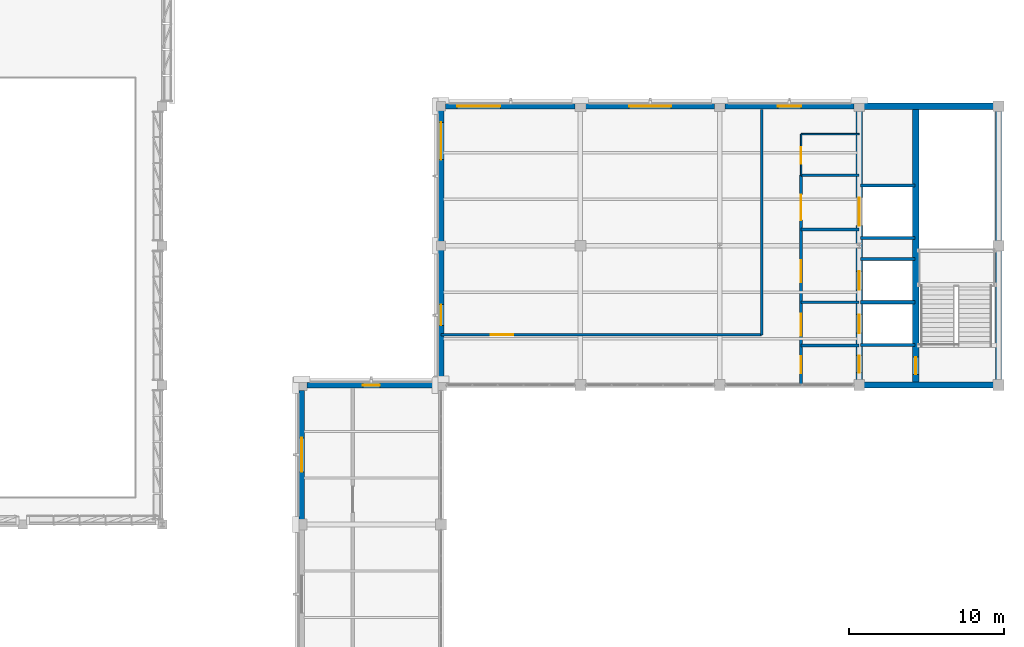
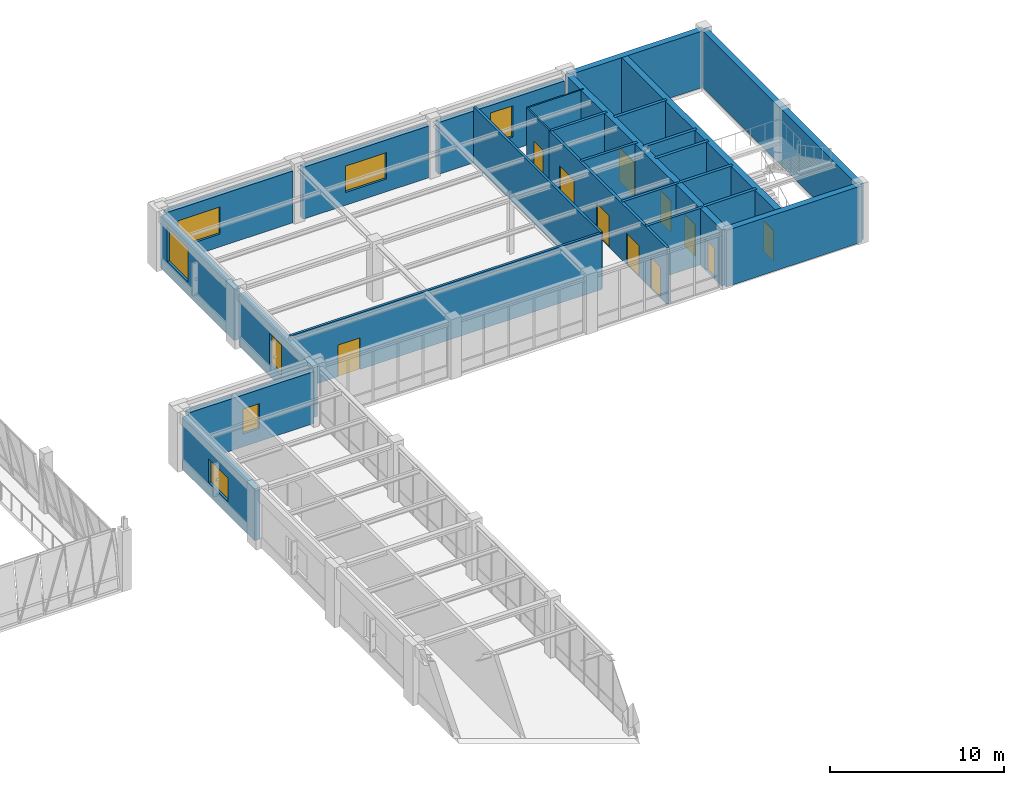
# One storey, part 95 of 108: 26 walls, 11 doors, 7 windows, 18 openings.
"""IFC4 building model written with IfcOpenShell, lengths in metres."""

import ifcopenshell
import ifcopenshell.guid

model = None  # the IFC model being written
_history = None  # IfcOwnerHistory: only IFC2X3 demands one
_inside = {}  # id of a spatial element -> (the spatial element, [elements in it])
_under = {}  # id of a project, library or spatial element -> (it, [spatial elements below it])
_declared = {}  # id of a project -> (the project, [libraries it declares])
_typed = {}  # id of a type object -> (the type object, [elements of that type])
_made_of = {}  # id of a material, layer set ... -> (it, [elements and type objects made of it])


def new_model(schema):
    """Start an empty IFC model of exactly this schema.

    Asked for "IFC4X3", IfcOpenShell would pick the latest addendum, in which some entities
    have other attributes; the version numbers below select the first issue.
    IFC2X3 requires an IfcOwnerHistory on every rooted entity: one is made here for all.
    """
    global model, _history
    if schema == "IFC4X3":
        model = ifcopenshell.file(schema_version=(4, 3, 0, 0))
    else:
        model = ifcopenshell.file(schema=schema)
    _inside.clear()
    _under.clear()
    _declared.clear()
    _typed.clear()
    _made_of.clear()
    _history = None
    if model.schema == "IFC2X3":
        org = make("IfcOrganization", Name="unknown")
        user = make(
            "IfcPersonAndOrganization",
            ThePerson=make("IfcPerson", FamilyName="unknown"),
            TheOrganization=org,
        )
        app = make(
            "IfcApplication",
            ApplicationDeveloper=org,
            Version="unknown",
            ApplicationFullName="unknown",
            ApplicationIdentifier="unknown",
        )
        _history = make(
            "IfcOwnerHistory",
            OwningUser=user,
            OwningApplication=app,
            ChangeAction="ADDED",
            CreationDate=0,
        )
    return model


def make(cls, **values):
    """One entity of the class cls with the attributes given. An attribute that is None is left unset."""
    return model.create_entity(
        cls, **{name: value for name, value in values.items() if value is not None}
    )


def rooted(cls, **values):
    """An entity with a GlobalId (a new one), such as an element, a storey or a relation."""
    return make(cls, GlobalId=ifcopenshell.guid.new(), OwnerHistory=_history, **values)


def si_unit(unit_type, name, prefix=None):
    """IfcSIUnit, for example si_unit("LENGTHUNIT", "METRE", prefix="MILLI")."""
    return make("IfcSIUnit", UnitType=unit_type, Prefix=prefix, Name=name)


def assignment(units):
    """IfcUnitAssignment: the units of a project."""
    return None if units is None else make("IfcUnitAssignment", Units=units)


def point(xyz):
    """IfcCartesianPoint."""
    return None if xyz is None else make("IfcCartesianPoint", Coordinates=xyz)


def direction(xyz):
    """IfcDirection."""
    return None if xyz is None else make("IfcDirection", DirectionRatios=xyz)


def frame(location, z_axis=None, x_axis=None):
    """IfcAxis2Placement3D, a coordinate frame: its origin and axes. An axis left out is left unset."""
    return make(
        "IfcAxis2Placement3D",
        Location=point(location),
        Axis=direction(z_axis),
        RefDirection=direction(x_axis),
    )


def frame_2d(location, x_axis=None):
    """IfcAxis2Placement2D, a coordinate frame in the plane: its origin and x axis."""
    return make(
        "IfcAxis2Placement2D", Location=point(location), RefDirection=direction(x_axis)
    )


def origin():
    """The frame at (0, 0, 0) with its axes left unset."""
    return frame((0.0, 0.0, 0.0))


def place(relative_to, where):
    """IfcLocalPlacement: puts the frame where relative to a parent placement (None: the world)."""
    return make(
        "IfcLocalPlacement", PlacementRelTo=relative_to, RelativePlacement=where
    )


def context(
    kind, dimensions, precision=None, world=None, true_north=None, identifier=None
):
    """IfcGeometricRepresentationContext, for example the 3D "Model" context."""
    return make(
        "IfcGeometricRepresentationContext",
        ContextIdentifier=identifier,
        ContextType=kind,
        CoordinateSpaceDimension=dimensions,
        Precision=precision,
        WorldCoordinateSystem=world,
        TrueNorth=true_north,
    )


def subcontext(parent, identifier, kind, view, scale=None):
    """IfcGeometricRepresentationSubContext, for example "Body" below "Model"."""
    return make(
        "IfcGeometricRepresentationSubContext",
        ContextIdentifier=identifier,
        ContextType=kind,
        ParentContext=parent,
        TargetScale=scale,
        TargetView=view,
    )


def project(units=None, contexts=None):
    """IfcProject with its units and contexts."""
    return rooted(
        "IfcProject",
        Name="project",
        RepresentationContexts=contexts,
        UnitsInContext=assignment(units),
    )


def spatial(cls, under=None, at=None, **own):
    """A site, building, storey or space (cls), placed at a placement, below another one or the project."""
    s = rooted(cls, ObjectPlacement=at, **own)
    if under is not None:
        _under.setdefault(under.id(), (under, []))[1].append(s)
    return s


def profile(cls, at=None, kind="AREA", **sizes):
    """A parametric profile (cls). Its sizes go by their IFC names, for example OverallWidth=200.0."""
    return make(cls, ProfileType=kind, Position=at, **sizes)


def rectangle(**sizes):
    """IfcRectangleProfileDef."""
    return profile("IfcRectangleProfileDef", **sizes)


def extrude(swept, where, along, depth):
    """IfcExtrudedAreaSolid: the profile swept, set in the frame where, extruded along a direction by depth."""
    return make(
        "IfcExtrudedAreaSolid",
        SweptArea=swept,
        Position=where,
        ExtrudedDirection=direction(along),
        Depth=depth,
    )


def shape(context_of_items, identifier, shape_type, items):
    """IfcShapeRepresentation: the items that make up one representation, for example the "Body"."""
    return make(
        "IfcShapeRepresentation",
        ContextOfItems=context_of_items,
        RepresentationIdentifier=identifier,
        RepresentationType=shape_type,
        Items=items,
    )


def material(Name=None, Category=None):
    """IfcMaterial."""
    return make("IfcMaterial", Name=Name, Category=Category)


def layer(
    of_material, thickness, ventilated=None, Name=None, Category=None, Priority=None
):
    """IfcMaterialLayer: one layer of a wall or slab, of a material (None: an air gap)."""
    return make(
        "IfcMaterialLayer",
        Material=of_material,
        LayerThickness=thickness,
        IsVentilated=ventilated,
        Name=Name,
        Category=Category,
        Priority=Priority,
    )


def layer_set(layers, Name=None):
    """IfcMaterialLayerSet."""
    return make("IfcMaterialLayerSet", MaterialLayers=layers, LayerSetName=Name)


def made_of(thing, what):
    """Note that an element or type object is made of a material, layer set ...; save() writes the relation."""
    if what is not None:
        _made_of.setdefault(what.id(), (what, []))[1].append(thing)
    return thing


def type_object(cls, material=None, **own):
    """A type object (cls), such as IfcWallType, which elements share."""
    return made_of(rooted(cls, **own), material)


def element(
    cls,
    number,
    at=None,
    inside=None,
    cuts=None,
    type_object=None,
    material=None,
    context=None,
    identifier="Body",
    shape_type=None,
    held_by="IfcProductDefinitionShape",
    body=None,
    shapes=None,
    **own,
):
    """One element of the class cls, such as IfcWall. Its Tag is "e" and its number.

    at: its placement. inside: the storey or other place that contains it. cuts: it is an
    opening in that element (IfcRelVoidsElement). A single representation is given by context,
    identifier, shape_type and body (its items); several are given by shapes. held_by: the class
    of the entity that holds the representations. save() writes the other relations.
    """
    e = rooted(cls, Tag="e%d" % number, ObjectPlacement=at, **own)
    if body is not None:
        shapes = [shape(context, identifier, shape_type, body)]
    if shapes is not None:
        e.Representation = make(held_by, Representations=shapes)
    if inside is not None:
        _inside.setdefault(inside.id(), (inside, []))[1].append(e)
    if cuts is not None:
        rooted(
            "IfcRelVoidsElement", RelatingBuildingElement=cuts, RelatedOpeningElement=e
        )
    if type_object is not None:
        _typed.setdefault(type_object.id(), (type_object, []))[1].append(e)
    return made_of(e, material)


def fill(opening, filler):
    """IfcRelFillsElement: the door or window that sits in an opening."""
    return rooted(
        "IfcRelFillsElement",
        RelatingOpeningElement=opening,
        RelatedBuildingElement=filler,
    )


def aggregate(whole, parts):
    """IfcRelAggregates: a whole, such as a stair, and the parts it consists of."""
    return rooted("IfcRelAggregates", RelatingObject=whole, RelatedObjects=parts)


def save(model, path):
    """Write the relations noted so far, then the file.

    IfcRelAggregates (storeys below a building ...), IfcRelContainedInSpatialStructure (elements
    in a storey), IfcRelDefinesByType, IfcRelAssociatesMaterial and IfcRelDeclares: one each for
    every whole, place, type object, material and project.
    """
    for whole, parts in _under.values():
        aggregate(whole, parts)
    for where, things in _inside.values():
        rooted(
            "IfcRelContainedInSpatialStructure",
            RelatedElements=things,
            RelatingStructure=where,
        )
    for kind, things in _typed.values():
        rooted("IfcRelDefinesByType", RelatedObjects=things, RelatingType=kind)
    for what, things in _made_of.values():
        rooted("IfcRelAssociatesMaterial", RelatedObjects=things, RelatingMaterial=what)
    for by, libraries in _declared.values():
        rooted("IfcRelDeclares", RelatingContext=by, RelatedDefinitions=libraries)
    model.write(path)


model = new_model("IFC4")

# Units and contexts
model_context = context("Model", 3, precision=1e-05, world=origin(), true_north=direction((0.0, 1.0)))
body_context = subcontext(model_context, "Body", "Model", "MODEL_VIEW")
ifc_project = project(units=[si_unit("LENGTHUNIT", "METRE"), si_unit("AREAUNIT", "SQUARE_METRE"), si_unit("VOLUMEUNIT", "CUBIC_METRE"), si_unit("PLANEANGLEUNIT", "RADIAN"), si_unit("MASSUNIT", "GRAM", prefix="KILO")], contexts=[model_context])

# Site, building, storey
site_placement = place(None, origin())
site = spatial("IfcSite", under=ifc_project, at=site_placement, CompositionType="ELEMENT")
building_placement = place(site_placement, origin())
building = spatial("IfcBuilding", under=site, at=building_placement, Name="Lykobir Media Centre", CompositionType="ELEMENT")
storey_placement = place(building_placement, frame((0.0, 0.0, 15.0)))
storey = spatial("IfcBuildingStorey", under=building, at=storey_placement, Name="L03", CompositionType="ELEMENT", Elevation=15.0)

# Wall, opening, window
ifc_material_1 = material(Name="Architectural Ochre Brick", Category="masonry")
ifc_layer_1 = layer(ifc_material_1, 0.360107421875, Name="Architectural Ochre Brick")
ifc_layer_set_1 = layer_set([ifc_layer_1], Name="Architectural Ochre Brick")
wall_type_1 = type_object("IfcWallType", Name="EW-BRK-360", PredefinedType="STANDARD", material=ifc_layer_set_1)
wall_1_placement = place(storey_placement, frame((98.6650390625, 72.0, 0.0), z_axis=(0.0, 0.0, 1.0), x_axis=(-1.0, 0.0, 0.0)))
wall_1 = element("IfcWall", 1, at=wall_1_placement, inside=storey, type_object=wall_type_1, Name="Exterior wall WALL-L03-0251", PredefinedType="STANDARD", context=body_context, shape_type="SweptSolid", body=[
    extrude(rectangle(XDim=8.330078125, YDim=0.360107421875, at=frame_2d((4.1650390625, 0.0))), origin(), (0.0, 0.0, 1.0), 3.635009765625),
])
opening_1_placement = place(wall_1_placement, frame((3.614990234375, 0.0, 0.89990234375)))
opening_1 = element("IfcOpeningElement", 2, at=opening_1_placement, cuts=wall_1, Name="Opening WN-1100x1750", PredefinedType="OPENING", context=body_context, shape_type="SweptSolid", body=[
    extrude(rectangle(XDim=1.10009765625, YDim=1.75, at=frame_2d((0.550048828125, 0.875))), frame((0.0, 0.18994140625, 0.0), z_axis=(0.0, -1.0, 0.0), x_axis=(1.0, 0.0, 0.0)), (0.0, 0.0, 1.0), 0.380126953125),
])
ifc_material_2 = material(Name="Low-E Laminated Triple Glazing", Category="glass")
window_type_1 = type_object("IfcWindowType", Name="WN-1100x1750", PartitioningType="SINGLE_PANEL", PredefinedType="WINDOW", material=ifc_material_2)
window_1_placement = place(opening_1_placement, origin())
window_1 = element("IfcWindow", 3, at=window_1_placement, inside=storey, type_object=window_type_1, Name="Window WIN-L03-0082", OverallHeight=1.75, OverallWidth=1.10009765625, PartitioningType="SINGLE_PANEL", PredefinedType="WINDOW", context=body_context, shape_type="SweptSolid", body=[
    extrude(rectangle(XDim=1.10009765625, YDim=1.75, at=frame_2d((0.550048828125, 0.875))), frame((0.0, 0.030029296875, 0.0), z_axis=(0.0, -1.0, 0.0), x_axis=(1.0, 0.0, 0.0)), (0.0, 0.0, 1.0), 0.06005859375),
])
fill(opening_1, window_1)

wall_2_placement = place(storey_placement, frame((90.0, 71.6650390625, 0.0), z_axis=(0.0, 0.0, 1.0), x_axis=(0.0, -1.0, 0.0)))
wall_2 = element("IfcWall", 4, at=wall_2_placement, inside=storey, type_object=wall_type_1, Name="Exterior wall WALL-L03-0257", PredefinedType="STANDARD", context=body_context, shape_type="SweptSolid", body=[
    extrude(rectangle(XDim=8.330078125, YDim=0.360107421875, at=frame_2d((4.1650390625, 0.0))), origin(), (0.0, 0.0, 1.0), 3.635009765625),
])
opening_2_placement = place(wall_2_placement, frame((3.06494140625, 0.0, 0.89990234375)))
opening_2 = element("IfcOpeningElement", 5, at=opening_2_placement, cuts=wall_2, Name="Opening WN-2200x1650", PredefinedType="OPENING", context=body_context, shape_type="SweptSolid", body=[
    extrude(rectangle(XDim=2.199951171875, YDim=1.64990234375, at=frame_2d((1.10009765625, 0.824951171875))), frame((0.0, 0.18994140625, 0.0), z_axis=(0.0, -1.0, 0.0), x_axis=(1.0, 0.0, 0.0)), (0.0, 0.0, 1.0), 0.380126953125),
])
window_type_2 = type_object("IfcWindowType", Name="WN-2200x1650", PartitioningType="SINGLE_PANEL", PredefinedType="WINDOW", material=ifc_material_2)
window_2_placement = place(opening_2_placement, origin())
window_2 = element("IfcWindow", 6, at=window_2_placement, inside=storey, type_object=window_type_2, Name="Window WIN-L03-0088", OverallHeight=1.64990234375, OverallWidth=2.199951171875, PartitioningType="SINGLE_PANEL", PredefinedType="WINDOW", context=body_context, shape_type="SweptSolid", body=[
    extrude(rectangle(XDim=2.199951171875, YDim=1.64990234375, at=frame_2d((1.10009765625, 0.824951171875))), frame((0.0, 0.030029296875, 0.0), z_axis=(0.0, -1.0, 0.0), x_axis=(1.0, 0.0, 0.0)), (0.0, 0.0, 1.0), 0.06005859375),
])
fill(opening_2, window_2)

wall_3_placement = place(storey_placement, frame((107.6650390625, 90.0, 0.0), z_axis=(0.0, 0.0, 1.0), x_axis=(-1.0, 0.0, 0.0)))
wall_3 = element("IfcWall", 7, at=wall_3_placement, inside=storey, type_object=wall_type_1, Name="Exterior wall WALL-L03-0264", PredefinedType="STANDARD", context=body_context, shape_type="SweptSolid", body=[
    extrude(rectangle(XDim=8.380126953125, YDim=0.360107421875, at=frame_2d((4.18994140625, 0.0))), origin(), (0.0, 0.0, 1.0), 3.635009765625),
])
opening_3_placement = place(wall_3_placement, frame((4.830078125, 0.0, 0.89990234375)))
opening_3 = element("IfcOpeningElement", 8, at=opening_3_placement, cuts=wall_3, Name="Opening WN-2800x1900", PredefinedType="OPENING", context=body_context, shape_type="SweptSolid", body=[
    extrude(rectangle(XDim=2.800048828125, YDim=1.89990234375, at=frame_2d((1.39990234375, 0.949951171875))), frame((0.0, 0.18994140625, 0.0), z_axis=(0.0, -1.0, 0.0), x_axis=(1.0, 0.0, 0.0)), (0.0, 0.0, 1.0), 0.380126953125),
])
window_type_3 = type_object("IfcWindowType", Name="WN-2800x1900", PartitioningType="SINGLE_PANEL", PredefinedType="WINDOW", material=ifc_material_2)
window_3_placement = place(opening_3_placement, origin())
window_3 = element("IfcWindow", 9, at=window_3_placement, inside=storey, type_object=window_type_3, Name="Window WIN-L03-0094", OverallHeight=1.89990234375, OverallWidth=2.800048828125, PartitioningType="SINGLE_PANEL", PredefinedType="WINDOW", context=body_context, shape_type="SweptSolid", body=[
    extrude(rectangle(XDim=2.800048828125, YDim=1.89990234375, at=frame_2d((1.39990234375, 0.949951171875))), frame((0.0, 0.030029296875, 0.0), z_axis=(0.0, -1.0, 0.0), x_axis=(1.0, 0.0, 0.0)), (0.0, 0.0, 1.0), 0.06005859375),
])
fill(opening_3, window_3)

wall_4_placement = place(storey_placement, frame((116.6650390625, 90.0, 0.0), z_axis=(0.0, 0.0, 1.0), x_axis=(-1.0, 0.0, 0.0)))
wall_4 = element("IfcWall", 10, at=wall_4_placement, inside=storey, type_object=wall_type_1, Name="Exterior wall WALL-L03-0265", PredefinedType="STANDARD", context=body_context, shape_type="SweptSolid", body=[
    extrude(rectangle(XDim=8.330078125, YDim=0.360107421875, at=frame_2d((4.1650390625, 0.0))), origin(), (0.0, 0.0, 1.0), 3.635009765625),
])
opening_4_placement = place(wall_4_placement, frame((2.81494140625, 0.0, 0.89990234375)))
opening_4 = element("IfcOpeningElement", 11, at=opening_4_placement, cuts=wall_4, Name="Opening WN-2700x1850", PredefinedType="OPENING", context=body_context, shape_type="SweptSolid", body=[
    extrude(rectangle(XDim=2.699951171875, YDim=1.85009765625, at=frame_2d((1.35009765625, 0.925048828125))), frame((0.0, 0.18994140625, 0.0), z_axis=(0.0, -1.0, 0.0), x_axis=(1.0, 0.0, 0.0)), (0.0, 0.0, 1.0), 0.380126953125),
])
window_type_4 = type_object("IfcWindowType", Name="WN-2700x1850", PartitioningType="SINGLE_PANEL", PredefinedType="WINDOW", material=ifc_material_2)
window_4_placement = place(opening_4_placement, origin())
window_4 = element("IfcWindow", 12, at=window_4_placement, inside=storey, type_object=window_type_4, Name="Window WIN-L03-0095", OverallHeight=1.85009765625, OverallWidth=2.699951171875, PartitioningType="SINGLE_PANEL", PredefinedType="WINDOW", context=body_context, shape_type="SweptSolid", body=[
    extrude(rectangle(XDim=2.699951171875, YDim=1.85009765625, at=frame_2d((1.35009765625, 0.925048828125))), frame((0.0, 0.030029296875, 0.0), z_axis=(0.0, -1.0, 0.0), x_axis=(1.0, 0.0, 0.0)), (0.0, 0.0, 1.0), 0.06005859375),
])
fill(opening_4, window_4)

wall_5_placement = place(storey_placement, frame((125.6650390625, 90.0, 0.0), z_axis=(0.0, 0.0, 1.0), x_axis=(-1.0, 0.0, 0.0)))
wall_5 = element("IfcWall", 13, at=wall_5_placement, inside=storey, type_object=wall_type_1, Name="Exterior wall WALL-L03-0266", PredefinedType="STANDARD", context=body_context, shape_type="SweptSolid", body=[
    extrude(rectangle(XDim=8.330078125, YDim=0.360107421875, at=frame_2d((4.1650390625, 0.0))), origin(), (0.0, 0.0, 1.0), 3.635009765625),
])
opening_5_placement = place(wall_5_placement, frame((3.4150390625, 0.0, 0.89990234375)))
opening_5 = element("IfcOpeningElement", 14, at=opening_5_placement, cuts=wall_5, Name="Opening WN-1500x2200", PredefinedType="OPENING", context=body_context, shape_type="SweptSolid", body=[
    extrude(rectangle(XDim=1.5, YDim=2.199951171875, at=frame_2d((0.75, 1.10009765625))), frame((0.0, 0.18994140625, 0.0), z_axis=(0.0, -1.0, 0.0), x_axis=(1.0, 0.0, 0.0)), (0.0, 0.0, 1.0), 0.380126953125),
])
window_type_5 = type_object("IfcWindowType", Name="WN-1500x2200", PartitioningType="SINGLE_PANEL", PredefinedType="WINDOW", material=ifc_material_2)
window_5_placement = place(opening_5_placement, origin())
window_5 = element("IfcWindow", 15, at=window_5_placement, inside=storey, type_object=window_type_5, Name="Window WIN-L03-0096", OverallHeight=2.199951171875, OverallWidth=1.5, PartitioningType="SINGLE_PANEL", PredefinedType="WINDOW", context=body_context, shape_type="SweptSolid", body=[
    extrude(rectangle(XDim=1.5, YDim=2.199951171875, at=frame_2d((0.75, 1.10009765625))), frame((0.0, 0.030029296875, 0.0), z_axis=(0.0, -1.0, 0.0), x_axis=(1.0, 0.0, 0.0)), (0.0, 0.0, 1.0), 0.06005859375),
])
fill(opening_5, window_5)

wall_6_placement = place(storey_placement, frame((99.0, 80.715087890625, 0.0), z_axis=(0.0, 0.0, 1.0), x_axis=(0.0, -1.0, 0.0)))
wall_6 = element("IfcWall", 16, at=wall_6_placement, inside=storey, type_object=wall_type_1, Name="Exterior wall WALL-L03-0267", PredefinedType="STANDARD", context=body_context, shape_type="SweptSolid", body=[
    extrude(rectangle(XDim=8.380126953125, YDim=0.360107421875, at=frame_2d((4.18994140625, 0.0))), origin(), (0.0, 0.0, 1.0), 3.635009765625),
])
opening_6_placement = place(wall_6_placement, frame((3.514892578125, 0.0, 0.89990234375)))
opening_6 = element("IfcOpeningElement", 17, at=opening_6_placement, cuts=wall_6, Name="Opening WN-1350x2100", PredefinedType="OPENING", context=body_context, shape_type="SweptSolid", body=[
    extrude(rectangle(XDim=1.35009765625, YDim=2.10009765625, at=frame_2d((0.675048828125, 1.050048828125))), frame((0.0, 0.18994140625, 0.0), z_axis=(0.0, -1.0, 0.0), x_axis=(1.0, 0.0, 0.0)), (0.0, 0.0, 1.0), 0.380126953125),
])
window_type_6 = type_object("IfcWindowType", Name="WN-1350x2100", PartitioningType="SINGLE_PANEL", PredefinedType="WINDOW", material=ifc_material_2)
window_6_placement = place(opening_6_placement, origin())
window_6 = element("IfcWindow", 18, at=window_6_placement, inside=storey, type_object=window_type_6, Name="Window WIN-L03-0097", OverallHeight=2.10009765625, OverallWidth=1.35009765625, PartitioningType="SINGLE_PANEL", PredefinedType="WINDOW", context=body_context, shape_type="SweptSolid", body=[
    extrude(rectangle(XDim=1.35009765625, YDim=2.10009765625, at=frame_2d((0.675048828125, 1.050048828125))), frame((0.0, 0.030029296875, 0.0), z_axis=(0.0, -1.0, 0.0), x_axis=(1.0, 0.0, 0.0)), (0.0, 0.0, 1.0), 0.06005859375),
])
fill(opening_6, window_6)

wall_7_placement = place(storey_placement, frame((99.0, 89.715087890625, 0.0), z_axis=(0.0, 0.0, 1.0), x_axis=(0.0, -1.0, 0.0)))
wall_7 = element("IfcWall", 19, at=wall_7_placement, inside=storey, type_object=wall_type_1, Name="Exterior wall WALL-L03-0268", PredefinedType="STANDARD", context=body_context, shape_type="SweptSolid", body=[
    extrude(rectangle(XDim=8.43017578125, YDim=0.360107421875, at=frame_2d((4.215087890625, 0.0))), origin(), (0.0, 0.0, 1.0), 3.635009765625),
])
opening_7_placement = place(wall_7_placement, frame((0.75, 0.0, 0.89990234375)))
opening_7 = element("IfcOpeningElement", 20, at=opening_7_placement, cuts=wall_7, Name="Opening WN-2400x2400", PredefinedType="OPENING", context=body_context, shape_type="SweptSolid", body=[
    extrude(rectangle(XDim=2.39990234375, YDim=2.39990234375, at=frame_2d((1.199951171875, 1.199951171875))), frame((0.0, 0.18994140625, 0.0), z_axis=(0.0, -1.0, 0.0), x_axis=(1.0, 0.0, 0.0)), (0.0, 0.0, 1.0), 0.380126953125),
])
window_type_7 = type_object("IfcWindowType", Name="WN-2400x2400", PartitioningType="SINGLE_PANEL", PredefinedType="WINDOW", material=ifc_material_2)
window_7_placement = place(opening_7_placement, origin())
window_7 = element("IfcWindow", 21, at=window_7_placement, inside=storey, type_object=window_type_7, Name="Window WIN-L03-0098", OverallHeight=2.39990234375, OverallWidth=2.39990234375, PartitioningType="SINGLE_PANEL", PredefinedType="WINDOW", context=body_context, shape_type="SweptSolid", body=[
    extrude(rectangle(XDim=2.39990234375, YDim=2.39990234375, at=frame_2d((1.199951171875, 1.199951171875))), frame((0.0, 0.030029296875, 0.0), z_axis=(0.0, -1.0, 0.0), x_axis=(1.0, 0.0, 0.0)), (0.0, 0.0, 1.0), 0.06005859375),
])
fill(opening_7, window_7)

# Wall, opening, door
ifc_material_3 = material(Name="Acoustic Gypsum Board", Category="gypsum")
ifc_layer_2 = layer(ifc_material_3, 0.159912109375, Name="Acoustic Gypsum Board")
ifc_layer_set_2 = layer_set([ifc_layer_2], Name="Acoustic Gypsum Board")
wall_type_2 = type_object("IfcWallType", Name="IW-COR-160", PredefinedType="PARTITIONING", material=ifc_layer_set_2)
wall_8_placement = place(storey_placement, frame((99.0, 75.25, 0.0), z_axis=(0.0, 0.0, 1.0), x_axis=(1.0, 0.0, 0.0)))
wall_8 = element("IfcWall", 22, at=wall_8_placement, inside=storey, type_object=wall_type_2, Name="Wall IWALL-L03-0732", PredefinedType="PARTITIONING", context=body_context, shape_type="SweptSolid", body=[
    extrude(rectangle(XDim=20.699951171875, YDim=0.159912109375, at=frame_2d((10.35009765625, 0.0))), origin(), (0.0, 0.0, 1.0), 3.9599609375),
])
opening_8_placement = place(wall_8_placement, frame((3.199951171875, 0.0, 0.0)))
opening_8 = element("IfcOpeningElement", 23, at=opening_8_placement, cuts=wall_8, Name="Opening D-L03-ENB1", PredefinedType="OPENING", context=body_context, shape_type="SweptSolid", body=[
    extrude(rectangle(XDim=1.449951171875, YDim=2.219970703125, at=frame_2d((0.72509765625, 1.10986328125))), frame((0.0, 0.08984375, 0.0), z_axis=(0.0, -1.0, 0.0), x_axis=(1.0, 0.0, 0.0)), (0.0, 0.0, 1.0), 0.179931640625),
])
ifc_material_4 = material(Name="Acoustic Timber Panelling", Category="wood")
door_type_1 = type_object("IfcDoorType", Name="FD-1450x2220", OperationType="NOTDEFINED", PredefinedType="DOOR", material=ifc_material_4)
door_1_placement = place(opening_8_placement, origin())
door_1 = element("IfcDoor", 24, at=door_1_placement, inside=storey, type_object=door_type_1, Name="Door D-L03-ENB1", OperationType="DOUBLE_DOOR_SINGLE_SWING", OverallHeight=2.219970703125, OverallWidth=1.449951171875, PredefinedType="DOOR", context=body_context, shape_type="SweptSolid", body=[
    extrude(rectangle(XDim=1.449951171875, YDim=2.219970703125, at=frame_2d((0.72509765625, 1.10986328125))), frame((0.0, 0.02490234375, 0.0), z_axis=(0.0, -1.0, 0.0), x_axis=(1.0, 0.0, 0.0)), (0.0, 0.0, 1.0), 0.050048828125),
])
fill(opening_8, door_1)

# Wall
wall_9_placement = place(storey_placement, frame((119.699951171875, 75.25, 0.0), z_axis=(0.0, 0.0, 1.0), x_axis=(0.0, 1.0, 0.0)))
element("IfcWall", 25, at=wall_9_placement, inside=storey, type_object=wall_type_2, Name="Wall IWALL-L03-0733", PredefinedType="PARTITIONING", context=body_context, shape_type="SweptSolid", body=[
    extrude(rectangle(XDim=14.530029296875, YDim=0.159912109375, at=frame_2d((7.26513671875, 0.0))), origin(), (0.0, 0.0, 1.0), 3.9599609375),
])

# Wall, openings, doors
ifc_layer_3 = layer(ifc_material_3, 0.179931640625, Name="Acoustic Gypsum Board")
ifc_layer_set_3 = layer_set([ifc_layer_3], Name="Acoustic Gypsum Board")
wall_type_3 = type_object("IfcWallType", Name="IW-FFLOB-180", PredefinedType="PARTITIONING", material=ifc_layer_set_3)
wall_10_placement = place(storey_placement, frame((122.25, 72.0, 0.0), z_axis=(0.0, 0.0, 1.0), x_axis=(0.0, 1.0, 0.0)))
wall_10 = element("IfcWall", 26, at=wall_10_placement, inside=storey, type_object=wall_type_3, Name="Wall IWALL-L03-0533", PredefinedType="PARTITIONING", context=body_context, shape_type="SweptSolid", body=[
    extrude(rectangle(XDim=13.550048828125, YDim=0.179931640625, at=frame_2d((6.77490234375, 0.0))), origin(), (0.0, 0.0, 1.0), 3.9599609375),
])
opening_9_placement = place(wall_10_placement, frame((0.75, 0.0, 0.0)))
opening_9 = element("IfcOpeningElement", 27, at=opening_9_placement, cuts=wall_10, Name="Opening D-L03-C4LV", PredefinedType="OPENING", context=body_context, shape_type="SweptSolid", body=[
    extrude(rectangle(XDim=1.10009765625, YDim=2.159912109375, at=frame_2d((0.550048828125, 1.080078125))), frame((0.0, 0.099853515625, 0.0), z_axis=(0.0, -1.0, 0.0), x_axis=(1.0, 0.0, 0.0)), (0.0, 0.0, 1.0), 0.199951171875),
])
opening_10_placement = place(wall_10_placement, frame((3.199951171875, 0.0, 0.0)))
opening_10 = element("IfcOpeningElement", 28, at=opening_10_placement, cuts=wall_10, Name="Opening D-L03-C4PL", PredefinedType="OPENING", context=body_context, shape_type="SweptSolid", body=[
    extrude(rectangle(XDim=1.39990234375, YDim=2.199951171875, at=frame_2d((0.699951171875, 1.10009765625))), frame((0.0, 0.099853515625, 0.0), z_axis=(0.0, -1.0, 0.0), x_axis=(1.0, 0.0, 0.0)), (0.0, 0.0, 1.0), 0.199951171875),
])
opening_11_placement = place(wall_10_placement, frame((6.64990234375, 0.0, 0.0)))
opening_11 = element("IfcOpeningElement", 29, at=opening_11_placement, cuts=wall_10, Name="Opening D-L03-C4FF", PredefinedType="OPENING", context=body_context, shape_type="SweptSolid", body=[
    extrude(rectangle(XDim=1.39990234375, YDim=2.199951171875, at=frame_2d((0.699951171875, 1.10009765625))), frame((0.0, 0.099853515625, 0.0), z_axis=(0.0, -1.0, 0.0), x_axis=(1.0, 0.0, 0.0)), (0.0, 0.0, 1.0), 0.199951171875),
])
opening_12_placement = place(wall_10_placement, frame((10.64990234375, 0.0, 0.0)))
opening_12 = element("IfcOpeningElement", 30, at=opening_12_placement, cuts=wall_10, Name="Opening D-L03-C4GL", PredefinedType="OPENING", context=body_context, shape_type="SweptSolid", body=[
    extrude(rectangle(XDim=1.64990234375, YDim=2.25, at=frame_2d((0.824951171875, 1.125))), frame((0.0, 0.099853515625, 0.0), z_axis=(0.0, -1.0, 0.0), x_axis=(1.0, 0.0, 0.0)), (0.0, 0.0, 1.0), 0.199951171875),
])
door_type_2 = type_object("IfcDoorType", Name="FD-1100x2160", OperationType="NOTDEFINED", PredefinedType="DOOR", material=ifc_material_4)
door_2_placement = place(opening_9_placement, origin())
door_2 = element("IfcDoor", 31, at=door_2_placement, inside=storey, type_object=door_type_2, Name="Door D-L03-C4LV", OperationType="SINGLE_SWING_LEFT", OverallHeight=2.159912109375, OverallWidth=1.10009765625, PredefinedType="DOOR", context=body_context, shape_type="SweptSolid", body=[
    extrude(rectangle(XDim=1.10009765625, YDim=2.159912109375, at=frame_2d((0.550048828125, 1.080078125))), frame((0.0, 0.02490234375, 0.0), z_axis=(0.0, -1.0, 0.0), x_axis=(1.0, 0.0, 0.0)), (0.0, 0.0, 1.0), 0.050048828125),
])
fill(opening_9, door_2)
door_type_3 = type_object("IfcDoorType", Name="FD-1400x2200", OperationType="NOTDEFINED", PredefinedType="DOOR", material=ifc_material_4)
door_3_placement = place(opening_10_placement, origin())
door_3 = element("IfcDoor", 32, at=door_3_placement, inside=storey, type_object=door_type_3, Name="Door D-L03-C4PL", OperationType="DOUBLE_DOOR_SINGLE_SWING", OverallHeight=2.199951171875, OverallWidth=1.39990234375, PredefinedType="DOOR", context=body_context, shape_type="SweptSolid", body=[
    extrude(rectangle(XDim=1.39990234375, YDim=2.199951171875, at=frame_2d((0.699951171875, 1.10009765625))), frame((0.0, 0.02490234375, 0.0), z_axis=(0.0, -1.0, 0.0), x_axis=(1.0, 0.0, 0.0)), (0.0, 0.0, 1.0), 0.050048828125),
])
fill(opening_10, door_3)
door_4_placement = place(opening_11_placement, origin())
door_4 = element("IfcDoor", 33, at=door_4_placement, inside=storey, type_object=door_type_3, Name="Door D-L03-C4FF", OperationType="DOUBLE_DOOR_SINGLE_SWING", OverallHeight=2.199951171875, OverallWidth=1.39990234375, PredefinedType="DOOR", context=body_context, shape_type="SweptSolid", body=[
    extrude(rectangle(XDim=1.39990234375, YDim=2.199951171875, at=frame_2d((0.699951171875, 1.10009765625))), frame((0.0, 0.02490234375, 0.0), z_axis=(0.0, -1.0, 0.0), x_axis=(1.0, 0.0, 0.0)), (0.0, 0.0, 1.0), 0.050048828125),
])
fill(opening_11, door_4)
door_type_4 = type_object("IfcDoorType", Name="FD-1650x2250", OperationType="NOTDEFINED", PredefinedType="DOOR", material=ifc_material_4)
door_5_placement = place(opening_12_placement, origin())
door_5 = element("IfcDoor", 34, at=door_5_placement, inside=storey, type_object=door_type_4, Name="Door D-L03-C4GL", OperationType="DOUBLE_DOOR_SINGLE_SWING", OverallHeight=2.25, OverallWidth=1.64990234375, PredefinedType="DOOR", context=body_context, shape_type="SweptSolid", body=[
    extrude(rectangle(XDim=1.64990234375, YDim=2.25, at=frame_2d((0.824951171875, 1.125))), frame((0.0, 0.02490234375, 0.0), z_axis=(0.0, -1.0, 0.0), x_axis=(1.0, 0.0, 0.0)), (0.0, 0.0, 1.0), 0.050048828125),
])
fill(opening_12, door_5)

# Walls
for number, where, z_axis, x_axis, name in (
    (35, (122.25, 74.550048828125, 0.0), (0.0, 0.0, 1.0), (1.0, 0.0, 0.0), "Wall IWALL-L03-0534"),
    (36, (122.25, 77.35009765625, 0.0), (0.0, 0.0, 1.0), (1.0, 0.0, 0.0), "Wall IWALL-L03-0535"),
    (37, (122.25, 82.050048828125, 0.0), (0.0, 0.0, 1.0), (1.0, 0.0, 0.0), "Wall IWALL-L03-0536"),
    (38, (122.25, 85.550048828125, 0.0), (0.0, 0.0, 1.0), (1.0, 0.0, 0.0), "Wall IWALL-L03-0537"),
):
    element("IfcWall", number, at=place(storey_placement, frame(where, z_axis=z_axis, x_axis=x_axis)), inside=storey, type_object=wall_type_3, Name=name, PredefinedType="PARTITIONING", context=body_context, shape_type="SweptSolid", body=[
        extrude(rectangle(XDim=3.75, YDim=0.179931640625, at=frame_2d((1.875, 0.0))), origin(), (0.0, 0.0, 1.0), 3.9599609375),
    ])
ifc_material_5 = material(Name="Concrete C30/37", Category="concrete")
ifc_layer_4 = layer(ifc_material_5, 0.199951171875, Name="Concrete C30/37")
ifc_layer_set_4 = layer_set([ifc_layer_4], Name="Concrete C30/37")
wall_type_4 = type_object("IfcWallType", Name="IW-SHAFT-200", PredefinedType="PARTITIONING", material=ifc_layer_set_4)
for number, where, z_axis, x_axis, name in (
    (39, (126.10009765625, 74.60009765625, 0.0), (0.0, 0.0, 1.0), (1.0, 0.0, 0.0), "Wall IWALL-L03-0528"),
    (40, (126.10009765625, 77.35009765625, 0.0), (0.0, 0.0, 1.0), (1.0, 0.0, 0.0), "Wall IWALL-L03-0529"),
    (41, (126.10009765625, 80.14990234375, 0.0), (0.0, 0.0, 1.0), (1.0, 0.0, 0.0), "Wall IWALL-L03-0530"),
    (42, (126.10009765625, 81.5, 0.0), (0.0, 0.0, 1.0), (1.0, 0.0, 0.0), "Wall IWALL-L03-0531"),
    (43, (126.10009765625, 84.89990234375, 0.0), (0.0, 0.0, 1.0), (1.0, 0.0, 0.0), "Wall IWALL-L03-0532"),
):
    element("IfcWall", number, at=place(storey_placement, frame(where, z_axis=z_axis, x_axis=x_axis)), inside=storey, type_object=wall_type_4, Name=name, PredefinedType="PARTITIONING", context=body_context, shape_type="SweptSolid", body=[
        extrude(rectangle(XDim=3.5, YDim=0.199951171875, at=frame_2d((1.75, 0.0))), origin(), (0.0, 0.0, 1.0), 3.9599609375),
    ])

# Wall, opening, door
ifc_layer_5 = layer(ifc_material_3, 0.094970703125, Name="Acoustic Gypsum Board")
ifc_layer_set_5 = layer_set([ifc_layer_5], Name="Acoustic Gypsum Board")
wall_type_5 = type_object("IfcWallType", Name="IW-WC-095", PredefinedType="PARTITIONING", material=ifc_layer_set_5)
wall_11_placement = place(storey_placement, frame((122.25, 85.550048828125, 0.0), z_axis=(0.0, 0.0, 1.0), x_axis=(0.0, 1.0, 0.0)))
wall_11 = element("IfcWall", 44, at=wall_11_placement, inside=storey, type_object=wall_type_5, Name="Wall IWALL-L03-0538", PredefinedType="PARTITIONING", context=body_context, shape_type="SweptSolid", body=[
    extrude(rectangle(XDim=2.64990234375, YDim=0.094970703125, at=frame_2d((1.324951171875, 0.0))), origin(), (0.0, 0.0, 1.0), 3.9599609375),
])
opening_13_placement = place(wall_11_placement, frame((0.75, 0.0, 0.0)))
opening_13 = element("IfcOpeningElement", 45, at=opening_13_placement, cuts=wall_11, Name="Opening D-L03-WCA4", PredefinedType="OPENING", context=body_context, shape_type="SweptSolid", body=[
    extrude(rectangle(XDim=1.050048828125, YDim=2.1298828125, at=frame_2d((0.52490234375, 1.06494140625))), frame((0.0, 0.057373046875, 0.0), z_axis=(0.0, -1.0, 0.0), x_axis=(1.0, 0.0, 0.0)), (0.0, 0.0, 1.0), 0.114990234375),
])
door_type_5 = type_object("IfcDoorType", Name="ID-1050x2130", OperationType="NOTDEFINED", PredefinedType="DOOR", material=ifc_material_4)
door_6_placement = place(opening_13_placement, origin())
door_6 = element("IfcDoor", 46, at=door_6_placement, inside=storey, type_object=door_type_5, Name="Door D-L03-WCA4", OperationType="SINGLE_SWING_RIGHT", OverallHeight=2.1298828125, OverallWidth=1.050048828125, PredefinedType="DOOR", context=body_context, shape_type="SweptSolid", body=[
    extrude(rectangle(XDim=1.050048828125, YDim=2.1298828125, at=frame_2d((0.52490234375, 1.06494140625))), frame((0.0, 0.02490234375, 0.0), z_axis=(0.0, -1.0, 0.0), x_axis=(1.0, 0.0, 0.0)), (0.0, 0.0, 1.0), 0.050048828125),
])
fill(opening_13, door_6)

# Wall
wall_12_placement = place(storey_placement, frame((122.25, 88.199951171875, 0.0), z_axis=(0.0, 0.0, 1.0), x_axis=(1.0, 0.0, 0.0)))
element("IfcWall", 47, at=wall_12_placement, inside=storey, type_object=wall_type_5, Name="Wall IWALL-L03-0539", PredefinedType="PARTITIONING", context=body_context, shape_type="SweptSolid", body=[
    extrude(rectangle(XDim=3.75, YDim=0.094970703125, at=frame_2d((1.875, 0.0))), origin(), (0.0, 0.0, 1.0), 3.9599609375),
])

# Wall, openings, doors
ifc_material_6 = material(Name="Concrete C40/50", Category="concrete")
ifc_layer_6 = layer(ifc_material_6, 0.39990234375, Name="Concrete C40/50")
ifc_layer_set_6 = layer_set([ifc_layer_6], Name="Concrete C40/50")
wall_type_6 = type_object("IfcWallType", Name="SW-CORE-400", PredefinedType="SHEAR", material=ifc_layer_set_6)
wall_13_placement = place(storey_placement, frame((126.0, 90.0, 0.0), z_axis=(0.0, 0.0, 1.0), x_axis=(0.0, -1.0, 0.0)))
wall_13 = element("IfcWall", 48, at=wall_13_placement, inside=storey, type_object=wall_type_6, Name="Wall IWALL-L03-0526", PredefinedType="SHEAR", context=body_context, shape_type="SweptSolid", body=[
    extrude(rectangle(XDim=18.0, YDim=0.39990234375, at=frame_2d((9.0, 0.0))), origin(), (0.0, 0.0, 1.0), 3.9599609375),
])
opening_14_placement = place(wall_13_placement, frame((16.10009765625, 0.0, 0.0)))
opening_14 = element("IfcOpeningElement", 49, at=opening_14_placement, cuts=wall_13, Name="Opening D-L03-C4VB", PredefinedType="OPENING", context=body_context, shape_type="SweptSolid", body=[
    extrude(rectangle(XDim=1.10009765625, YDim=2.159912109375, at=frame_2d((0.550048828125, 1.080078125))), frame((0.0, 0.2099609375, 0.0), z_axis=(0.0, -1.0, 0.0), x_axis=(1.0, 0.0, 0.0)), (0.0, 0.0, 1.0), 0.419921875),
])
opening_15_placement = place(wall_13_placement, frame((13.449951171875, 0.0, 0.0)))
opening_15 = element("IfcOpeningElement", 50, at=opening_15_placement, cuts=wall_13, Name="Opening LD-L03-PL-4", PredefinedType="OPENING", context=body_context, shape_type="SweptSolid", body=[
    extrude(rectangle(XDim=1.199951171875, YDim=2.199951171875, at=frame_2d((0.60009765625, 1.10009765625))), frame((0.0, 0.2099609375, 0.0), z_axis=(0.0, -1.0, 0.0), x_axis=(1.0, 0.0, 0.0)), (0.0, 0.0, 1.0), 0.419921875),
])
opening_16_placement = place(wall_13_placement, frame((10.64990234375, 0.0, 0.0)))
opening_16 = element("IfcOpeningElement", 51, at=opening_16_placement, cuts=wall_13, Name="Opening LD-L03-FL-3", PredefinedType="OPENING", context=body_context, shape_type="SweptSolid", body=[
    extrude(rectangle(XDim=1.199951171875, YDim=2.199951171875, at=frame_2d((0.60009765625, 1.10009765625))), frame((0.0, 0.2099609375, 0.0), z_axis=(0.0, -1.0, 0.0), x_axis=(1.0, 0.0, 0.0)), (0.0, 0.0, 1.0), 0.419921875),
])
opening_17_placement = place(wall_13_placement, frame((5.89990234375, 0.0, 0.0)))
opening_17 = element("IfcOpeningElement", 52, at=opening_17_placement, cuts=wall_13, Name="Opening LD-L03-GL-1", PredefinedType="OPENING", context=body_context, shape_type="SweptSolid", body=[
    extrude(rectangle(XDim=1.800048828125, YDim=2.35009765625, at=frame_2d((0.89990234375, 1.175048828125))), frame((0.0, 0.2099609375, 0.0), z_axis=(0.0, -1.0, 0.0), x_axis=(1.0, 0.0, 0.0)), (0.0, 0.0, 1.0), 0.419921875),
])
door_7_placement = place(opening_14_placement, origin())
door_7 = element("IfcDoor", 53, at=door_7_placement, inside=storey, type_object=door_type_2, Name="Door D-L03-C4VB", OperationType="SINGLE_SWING_RIGHT", OverallHeight=2.159912109375, OverallWidth=1.10009765625, PredefinedType="DOOR", context=body_context, shape_type="SweptSolid", body=[
    extrude(rectangle(XDim=1.10009765625, YDim=2.159912109375, at=frame_2d((0.550048828125, 1.080078125))), frame((0.0, 0.02490234375, 0.0), z_axis=(0.0, -1.0, 0.0), x_axis=(1.0, 0.0, 0.0)), (0.0, 0.0, 1.0), 0.050048828125),
])
fill(opening_14, door_7)
ifc_material_7 = material(Name="Anodized Aluminium AW-6060", Category="aluminium")
door_type_6 = type_object("IfcDoorType", Name="LD-1200x2200", OperationType="NOTDEFINED", PredefinedType="DOOR", material=ifc_material_7)
door_8_placement = place(opening_15_placement, origin())
door_8 = element("IfcDoor", 54, at=door_8_placement, inside=storey, type_object=door_type_6, Name="Lift landing door PL-4 L03", OperationType="SLIDING_TO_LEFT", OverallHeight=2.199951171875, OverallWidth=1.199951171875, PredefinedType="DOOR", context=body_context, shape_type="SweptSolid", body=[
    extrude(rectangle(XDim=1.199951171875, YDim=2.199951171875, at=frame_2d((0.60009765625, 1.10009765625))), frame((0.0, 0.02490234375, 0.0), z_axis=(0.0, -1.0, 0.0), x_axis=(1.0, 0.0, 0.0)), (0.0, 0.0, 1.0), 0.050048828125),
])
fill(opening_15, door_8)
door_9_placement = place(opening_16_placement, origin())
door_9 = element("IfcDoor", 55, at=door_9_placement, inside=storey, type_object=door_type_6, Name="Firefighting lift landing door FL-3 L03", OperationType="SLIDING_TO_LEFT", OverallHeight=2.199951171875, OverallWidth=1.199951171875, PredefinedType="DOOR", context=body_context, shape_type="SweptSolid", body=[
    extrude(rectangle(XDim=1.199951171875, YDim=2.199951171875, at=frame_2d((0.60009765625, 1.10009765625))), frame((0.0, 0.02490234375, 0.0), z_axis=(0.0, -1.0, 0.0), x_axis=(1.0, 0.0, 0.0)), (0.0, 0.0, 1.0), 0.050048828125),
])
fill(opening_16, door_9)
door_type_7 = type_object("IfcDoorType", Name="LD-1800x2350", OperationType="NOTDEFINED", PredefinedType="DOOR", material=ifc_material_7)
door_10_placement = place(opening_17_placement, origin())
door_10 = element("IfcDoor", 56, at=door_10_placement, inside=storey, type_object=door_type_7, Name="Goods lift landing door GL-1 L03", OperationType="DOUBLE_DOOR_SLIDING", OverallHeight=2.35009765625, OverallWidth=1.800048828125, PredefinedType="DOOR", context=body_context, shape_type="SweptSolid", body=[
    extrude(rectangle(XDim=1.800048828125, YDim=2.35009765625, at=frame_2d((0.89990234375, 1.175048828125))), frame((0.0, 0.02490234375, 0.0), z_axis=(0.0, -1.0, 0.0), x_axis=(1.0, 0.0, 0.0)), (0.0, 0.0, 1.0), 0.050048828125),
])
fill(opening_17, door_10)

# Wall, opening, door
wall_14_placement = place(storey_placement, frame((129.64990234375, 72.0, 0.0), z_axis=(0.0, 0.0, 1.0), x_axis=(0.0, 1.0, 0.0)))
wall_14 = element("IfcWall", 57, at=wall_14_placement, inside=storey, type_object=wall_type_6, Name="Wall IWALL-L03-0527", PredefinedType="SHEAR", context=body_context, shape_type="SweptSolid", body=[
    extrude(rectangle(XDim=18.0, YDim=0.39990234375, at=frame_2d((9.0, 0.0))), origin(), (0.0, 0.0, 1.0), 3.9599609375),
])
opening_18_placement = place(wall_14_placement, frame((0.699951171875, 0.0, 0.0)))
opening_18 = element("IfcOpeningElement", 58, at=opening_18_placement, cuts=wall_14, Name="Opening D-L03-C4ST", PredefinedType="OPENING", context=body_context, shape_type="SweptSolid", body=[
    extrude(rectangle(XDim=1.10009765625, YDim=2.159912109375, at=frame_2d((0.550048828125, 1.080078125))), frame((0.0, 0.2099609375, 0.0), z_axis=(0.0, -1.0, 0.0), x_axis=(1.0, 0.0, 0.0)), (0.0, 0.0, 1.0), 0.419921875),
])
door_11_placement = place(opening_18_placement, origin())
door_11 = element("IfcDoor", 59, at=door_11_placement, inside=storey, type_object=door_type_2, Name="L03 ST-4 stairwell fire door", OperationType="SINGLE_SWING_LEFT", OverallHeight=2.159912109375, OverallWidth=1.10009765625, PredefinedType="DOOR", context=body_context, shape_type="SweptSolid", body=[
    extrude(rectangle(XDim=1.10009765625, YDim=2.159912109375, at=frame_2d((0.550048828125, 1.080078125))), frame((0.0, 0.02490234375, 0.0), z_axis=(0.0, -1.0, 0.0), x_axis=(1.0, 0.0, 0.0)), (0.0, 0.0, 1.0), 0.050048828125),
])
fill(opening_18, door_11)

# Walls
ifc_layer_7 = layer(ifc_material_6, 0.39990234375, Name="Concrete C40/50")
ifc_layer_set_7 = layer_set([ifc_layer_7], Name="Concrete C40/50")
wall_type_7 = type_object("IfcWallType", Name="SW-CORE-400-E", PredefinedType="SHEAR", material=ifc_layer_set_7)
wall_15_placement = place(storey_placement, frame((126.0, 72.0, 0.0), z_axis=(0.0, 0.0, 1.0), x_axis=(1.0, 0.0, 0.0)))
element("IfcWall", 60, at=wall_15_placement, inside=storey, type_object=wall_type_7, Name="Wall IWALL-L03-0523", PredefinedType="SHEAR", context=body_context, shape_type="SweptSolid", body=[
    extrude(rectangle(XDim=9.0, YDim=0.39990234375, at=frame_2d((4.5, 0.0))), origin(), (0.0, 0.0, 1.0), 3.9599609375),
])
wall_16_placement = place(storey_placement, frame((135.0, 72.0, 0.0), z_axis=(0.0, 0.0, 1.0), x_axis=(0.0, 1.0, 0.0)))
element("IfcWall", 61, at=wall_16_placement, inside=storey, type_object=wall_type_7, Name="Wall IWALL-L03-0524", PredefinedType="SHEAR", context=body_context, shape_type="SweptSolid", body=[
    extrude(rectangle(XDim=18.0, YDim=0.39990234375, at=frame_2d((9.0, 0.0))), origin(), (0.0, 0.0, 1.0), 3.9599609375),
])
wall_17_placement = place(storey_placement, frame((135.0, 90.0, 0.0), z_axis=(0.0, 0.0, 1.0), x_axis=(-1.0, 0.0, 0.0)))
element("IfcWall", 62, at=wall_17_placement, inside=storey, type_object=wall_type_7, Name="Wall IWALL-L03-0525", PredefinedType="SHEAR", context=body_context, shape_type="SweptSolid", body=[
    extrude(rectangle(XDim=9.0, YDim=0.39990234375, at=frame_2d((4.5, 0.0))), origin(), (0.0, 0.0, 1.0), 3.9599609375),
])

save(model, "model.ifc")
